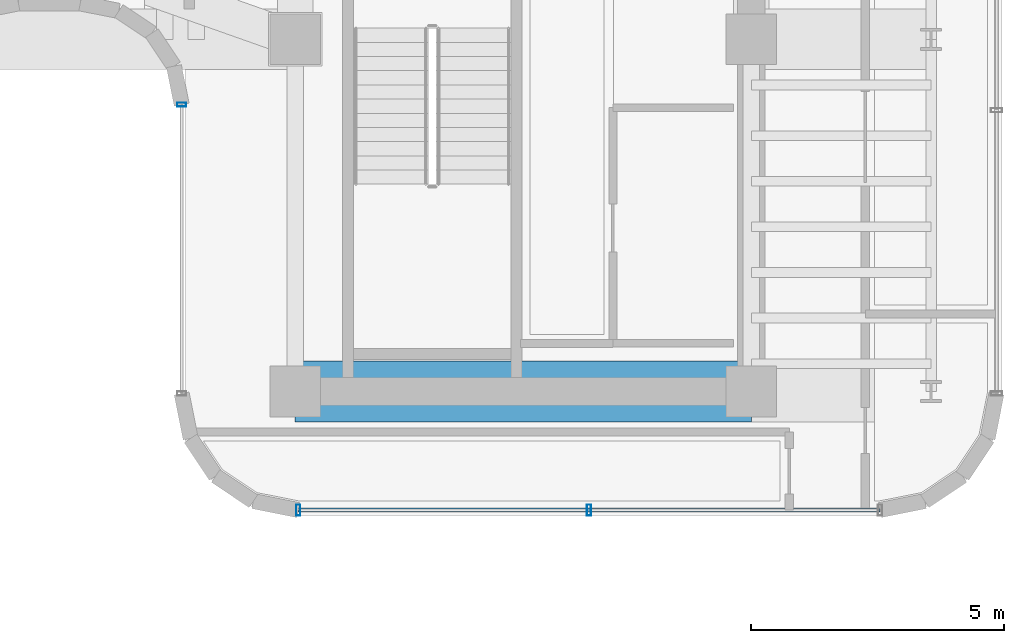
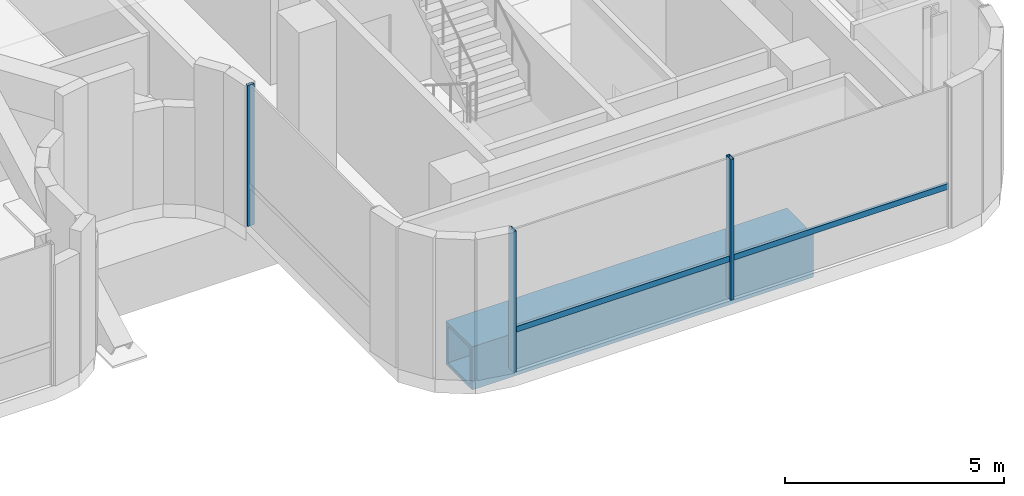
# One storey, part 11 of 37: 4 members, 1 beam, 2 elements without a shape of their own.
"""IFC4 building model written with IfcOpenShell, lengths in metres."""

from ifc_helpers import new_model, si_unit, direction, frame, origin, origin_2d, place, context, subcontext, project, spatial, hollow_rectangle, extrude, source, transform, mapped, material, material_profile, profile_set, type_object, element, aggregate, save


model = new_model("IFC4")

# Units and contexts
model_context = context("Model", 3, precision=1e-05, world=origin(), true_north=direction((0.0, 1.0)))
body_context = subcontext(model_context, "Body", "Model", "MODEL_VIEW")
ifc_project = project(units=[si_unit("LENGTHUNIT", "METRE"), si_unit("AREAUNIT", "SQUARE_METRE"), si_unit("VOLUMEUNIT", "CUBIC_METRE"), si_unit("PLANEANGLEUNIT", "RADIAN"), si_unit("MASSUNIT", "GRAM", prefix="KILO")], contexts=[model_context])

# Site, building, storey
site_placement = place(None, origin())
site = spatial("IfcSite", under=ifc_project, at=site_placement, CompositionType="ELEMENT")
building_placement = place(site_placement, origin())
building = spatial("IfcBuilding", under=site, at=building_placement, Name="Valdorenza Pilgrim Sanctuary Tower", CompositionType="ELEMENT")
storey_placement = place(building_placement, frame((0.0, 0.0, 172.300048828125)))
storey = spatial("IfcBuildingStorey", under=building, at=storey_placement, Name="L44", CompositionType="ELEMENT", Elevation=172.300048828125)

# Beam
ifc_material_1 = material(Name="Steel ASTM A572 Grade 42", Category="steel")
ifc_material_profile_1 = material_profile(ifc_material_1, hollow_rectangle(XDim=1.199951171875, YDim=1.199951171875, WallThickness=0.090087890625, at=origin_2d()), Name="BOX 1200x1200x90")
ifc_profile_set_1 = profile_set([ifc_material_profile_1], Name="Steel ASTM A572 Grade 42")
beam_type = type_object("IfcBeamType", Name="STR-BM-TRF-1200", PredefinedType="BEAM", material=ifc_profile_set_1)
shared_shape_1 = source(origin(), body_context, "Body", "SweptSolid", [
    extrude(hollow_rectangle(XDim=1.199951171875, YDim=1.199951171875, WallThickness=0.090087890625, at=origin_2d()), origin(), (0.0, 0.0, 1.0), 9.0),
])
beam_placement = place(storey_placement, frame((15.85009765625, -9.550048828125, -1.0), z_axis=(1.0, 0.0, 0.0), x_axis=(0.0, 1.0, 0.0)))
element("IfcBeam", 1, at=beam_placement, inside=storey, type_object=beam_type, Name="L44 Transfer Girder CB-XC-S1", PredefinedType="BEAM", context=body_context, shape_type="MappedRepresentation", body=[
    mapped(shared_shape_1, transform((0.0, 0.0, 0.0), x_axis=(1.0, 0.0, 0.0), y_axis=(0.0, 1.0, 0.0), z_axis=(0.0, 0.0, 1.0), scale=1.0)),
])

# Curtain wall, member
ifc_material_2 = material(Name="Curtain-wall IGU glazing", Category="glass")
curtain_wall_type_1 = type_object("IfcCurtainWallType", Name="CW-SYS-05", PredefinedType="NOTDEFINED", material=ifc_material_2)
curtain_wall_1_placement = place(storey_placement, origin())
curtain_wall_1 = element("IfcCurtainWall", 2, at=curtain_wall_1_placement, inside=storey, type_object=curtain_wall_type_1, Name="L44 Curtain Wall CW-L44-1-47", PredefinedType="NOTDEFINED")
ifc_material_3 = material(Name="Anodised aluminium AW-6060", Category="aluminium")
ifc_material_profile_2 = material_profile(ifc_material_3, hollow_rectangle(XDim=0.080078125, YDim=0.179931640625, WallThickness=0.00439453125, at=origin_2d()), Name="ALU-M 180x80x4.5")
ifc_profile_set_2 = profile_set([ifc_material_profile_2], Name="Anodised aluminium AW-6060")
member_type_1 = type_object("IfcMemberType", Name="CW-MUL-05", PredefinedType="MULLION", material=ifc_profile_set_2)
shared_shape_2 = source(origin(), body_context, "Body", "SweptSolid", [
    extrude(hollow_rectangle(XDim=0.080078125, YDim=0.179931640625, WallThickness=0.00439453125, at=origin_2d()), origin(), (0.0, 0.0, 1.0), 3.929931640625),
])
member_1_placement = place(storey_placement, frame((13.610107421875, -3.88916015625, 0.0), z_axis=(0.0, 0.0, 1.0), x_axis=(0.0, 1.0, 0.0)))
member_1 = element("IfcMember", 3, at=member_1_placement, type_object=member_type_1, Name="CW-L44-1-47 Mullion 2", PredefinedType="MULLION", context=body_context, shape_type="MappedRepresentation", body=[
    mapped(shared_shape_2, transform((0.0, 0.0, 0.0), x_axis=(1.0, 0.0, 0.0), y_axis=(0.0, 1.0, 0.0), z_axis=(0.0, 0.0, 1.0), scale=1.0)),
])
aggregate(curtain_wall_1, [member_1])

# Curtain wall, members
curtain_wall_type_2 = type_object("IfcCurtainWallType", Name="CW-SYS-03", PredefinedType="NOTDEFINED", material=ifc_material_2)
curtain_wall_2_placement = place(storey_placement, origin())
curtain_wall_2 = element("IfcCurtainWall", 4, at=curtain_wall_2_placement, inside=storey, type_object=curtain_wall_type_2, Name="L44 Curtain Wall CW-L44-1-42", PredefinedType="NOTDEFINED")
ifc_material_profile_3 = material_profile(ifc_material_3, hollow_rectangle(XDim=0.0849609375, YDim=0.219970703125, WallThickness=0.0048828125, at=origin_2d()), Name="ALU-M 220x85x5")
ifc_profile_set_3 = profile_set([ifc_material_profile_3], Name="Anodised aluminium AW-6060")
member_type_2 = type_object("IfcMemberType", Name="CW-MUL-03", PredefinedType="MULLION", material=ifc_profile_set_3)
shared_shape_3 = source(origin(), body_context, "Body", "SweptSolid", [
    extrude(hollow_rectangle(XDim=0.0849609375, YDim=0.219970703125, WallThickness=0.0048828125, at=origin_2d()), origin(), (0.0, 0.0, 1.0), 3.929931640625),
])
member_2_placement = place(storey_placement, frame((21.64990234375, -11.889892578125, 0.0), z_axis=(0.0, 0.0, 1.0), x_axis=(-1.0, 0.0, 0.0)))
member_2 = element("IfcMember", 5, at=member_2_placement, type_object=member_type_2, Name="CW-L44-1-42 Mullion 2", PredefinedType="MULLION", context=body_context, shape_type="MappedRepresentation", body=[
    mapped(shared_shape_3, transform((0.0, 0.0, 0.0), x_axis=(1.0, 0.0, 0.0), y_axis=(0.0, 1.0, 0.0), z_axis=(0.0, 0.0, 1.0), scale=1.0)),
])
member_3_placement = place(storey_placement, frame((15.910888671875, -11.889892578125, 0.0), z_axis=(0.0, 0.0, 1.0), x_axis=(-1.0, 0.0, 0.0)))
member_3 = element("IfcMember", 6, at=member_3_placement, type_object=member_type_2, Name="CW-L44-1-42 Mullion 3", PredefinedType="MULLION", context=body_context, shape_type="MappedRepresentation", body=[
    mapped(shared_shape_3, transform((0.0, 0.0, 0.0), x_axis=(1.0, 0.0, 0.0), y_axis=(0.0, 1.0, 0.0), z_axis=(0.0, 0.0, 1.0), scale=1.0)),
])
ifc_material_profile_4 = material_profile(ifc_material_3, hollow_rectangle(XDim=0.074951171875, YDim=0.159912109375, WallThickness=0.00390625, at=origin_2d()), Name="ALU-T 160x75x4")
ifc_profile_set_4 = profile_set([ifc_material_profile_4], Name="Anodised aluminium AW-6060")
member_type_3 = type_object("IfcMemberType", Name="CW-TRN-03", PredefinedType="USERDEFINED", material=ifc_profile_set_4)
shared_shape_4 = source(origin(), body_context, "Body", "SweptSolid", [
    extrude(hollow_rectangle(XDim=0.074951171875, YDim=0.159912109375, WallThickness=0.00390625, at=origin_2d()), origin(), (0.0, 0.0, 1.0), 11.478271484375),
])
member_4_placement = place(storey_placement, frame((27.38916015625, -11.889892578125, 1.119873046875), z_axis=(-1.0, 0.0, 0.0), x_axis=(0.0, -1.0, 0.0)))
member_4 = element("IfcMember", 7, at=member_4_placement, type_object=member_type_3, Name="CW-L44-1-42 Transom 1", ObjectType="TRANSOM", PredefinedType="USERDEFINED", context=body_context, shape_type="MappedRepresentation", body=[
    mapped(shared_shape_4, transform((0.0, 0.0, 0.0), x_axis=(1.0, 0.0, 0.0), y_axis=(0.0, 1.0, 0.0), z_axis=(0.0, 0.0, 1.0), scale=1.0)),
])
aggregate(curtain_wall_2, [member_2, member_3, member_4])

save(model, "model.ifc")
